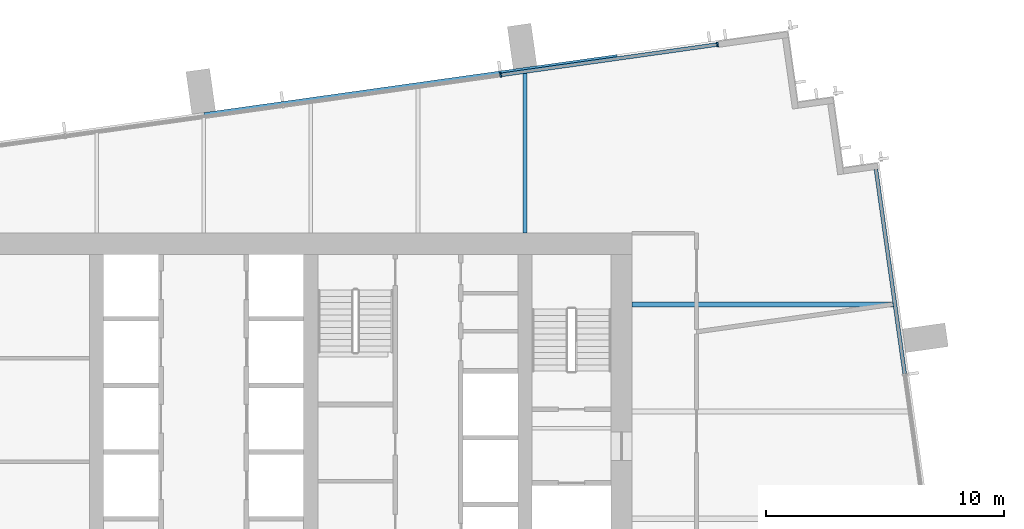
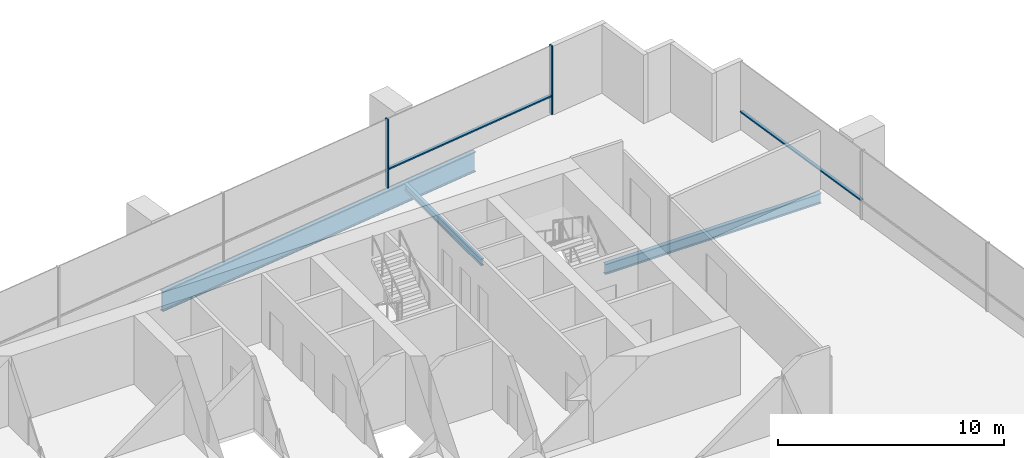
# One storey, part 7 of 13: 4 members, 3 beams, 2 elements without a shape of their own.
"""IFC4 building model written with IfcOpenShell, lengths in metres."""

from ifc_helpers import new_model, si_unit, direction, frame, origin, origin_2d, place, context, subcontext, project, spatial, rectangle, i_section, extrude, material, layer, layer_set, material_profile, profile_set, type_object, element, aggregate, save


model = new_model("IFC4")

# Units and contexts
model_context = context("Model", 3, precision=1e-05, world=origin(), true_north=direction((0.0, 1.0)))
body_context = subcontext(model_context, "Body", "Model", "MODEL_VIEW")
ifc_project = project(units=[si_unit("LENGTHUNIT", "METRE"), si_unit("AREAUNIT", "SQUARE_METRE"), si_unit("VOLUMEUNIT", "CUBIC_METRE"), si_unit("PLANEANGLEUNIT", "RADIAN"), si_unit("MASSUNIT", "GRAM", prefix="KILO")], contexts=[model_context])

# Site, building, storey
site_placement = place(None, origin())
site = spatial("IfcSite", under=ifc_project, at=site_placement, CompositionType="ELEMENT")
building_placement = place(site_placement, origin())
building = spatial("IfcBuilding", under=site, at=building_placement, Name="Rattan Terrace Tower", CompositionType="ELEMENT")
storey_placement = place(building_placement, frame((0.0, 0.0, 217.39990234375)))
storey = spatial("IfcBuildingStorey", under=building, at=storey_placement, Name="L49", CompositionType="ELEMENT", Elevation=217.39990234375)

# Beams
ifc_material_1 = material(Name="Steel S460", Category="steel")
ifc_material_profile_1 = material_profile(ifc_material_1, i_section(OverallWidth=0.179931640625, OverallDepth=1.10009765625, WebThickness=0.01611328125, FlangeThickness=0.050048828125, at=origin_2d()), Name="PG 1100x180-16-50")
ifc_profile_set_1 = profile_set([ifc_material_profile_1], Name="Steel S460")
beam_type_1 = type_object("IfcBeamType", Name="Frame edge girder PG 1100x180-16-50", PredefinedType="SPANDREL", material=ifc_profile_set_1)
beam_1_placement = place(storey_placement, frame((17.3740234375, 14.909912109375, -0.75), z_axis=(-0.990275742813, -0.139118486179, 0.0), x_axis=(0.139118486179, -0.990275742813, 0.0)))
element("IfcBeam", 1, at=beam_1_placement, inside=storey, type_object=beam_type_1, Name="gdr-L49-006", PredefinedType="SPANDREL", context=body_context, shape_type="SweptSolid", body=[
    extrude(i_section(OverallWidth=0.179931640625, OverallDepth=1.10009765625, WebThickness=0.01611328125, FlangeThickness=0.050048828125, at=origin_2d()), origin(), (0.0, 0.0, 1.0), 17.531494140625),
])
ifc_material_2 = material(Name="Steel S355", Category="steel")
ifc_material_profile_2 = material_profile(ifc_material_2, i_section(OverallWidth=0.169921875, OverallDepth=0.360107421875, WebThickness=0.008056640625, FlangeThickness=0.0126953125, FilletRadius=0.01806640625, at=origin_2d()), Name="IPE 360")
ifc_profile_set_2 = profile_set([ifc_material_profile_2], Name="Steel S355")
beam_type_2 = type_object("IfcBeamType", Name="Frame floor beam IPE 360", PredefinedType="JOIST", material=ifc_profile_set_2)
beam_2_placement = place(storey_placement, frame((13.5, 7.5, -0.3798828125), z_axis=(0.0, 1.0, 0.0), x_axis=(-1.0, 0.0, 0.0)))
element("IfcBeam", 2, at=beam_2_placement, inside=storey, type_object=beam_type_2, Name="bm-L49-020", PredefinedType="JOIST", context=body_context, shape_type="SweptSolid", body=[
    extrude(i_section(OverallWidth=0.169921875, OverallDepth=0.360107421875, WebThickness=0.008056640625, FlangeThickness=0.0126953125, FilletRadius=0.01806640625, at=origin_2d()), origin(), (0.0, 0.0, 1.0), 6.762939453125),
])
ifc_material_3 = material(Name="Steel S355", Category="steel")
ifc_material_profile_3 = material_profile(ifc_material_3, i_section(OverallWidth=0.2099609375, OverallDepth=0.550048828125, WebThickness=0.010986328125, FlangeThickness=0.01708984375, FilletRadius=0.02392578125, at=origin_2d()), Name="IPE 550")
ifc_profile_set_3 = profile_set([ifc_material_profile_3], Name="Steel S355")
beam_type_3 = type_object("IfcBeamType", Name="Frame floor beam IPE 550", PredefinedType="JOIST", material=ifc_profile_set_3)
beam_3_placement = place(storey_placement, frame((18.0, 4.5, -0.474853515625), z_axis=(1.0, 0.0, 0.0), x_axis=(0.0, 1.0, 0.0)))
element("IfcBeam", 3, at=beam_3_placement, inside=storey, type_object=beam_type_3, Name="bm-L49-013", PredefinedType="JOIST", context=body_context, shape_type="SweptSolid", body=[
    extrude(i_section(OverallWidth=0.2099609375, OverallDepth=0.550048828125, WebThickness=0.010986328125, FlangeThickness=0.01708984375, FilletRadius=0.02392578125, at=origin_2d()), origin(), (0.0, 0.0, 1.0), 11.013916015625),
])

# Curtain wall, members
ifc_material_4 = material(Name="Aluminium and laminated glass", Category="aluminium")
ifc_layer = layer(ifc_material_4, 0.199951171875)
ifc_layer_set = layer_set([ifc_layer], Name="High-Zone Unitised Curtain Wall")
curtain_wall_type = type_object("IfcCurtainWallType", Name="High-Zone Unitised Curtain Wall", PredefinedType="NOTDEFINED", material=ifc_layer_set)
curtain_wall_1_placement = place(storey_placement, origin())
curtain_wall_1 = element("IfcCurtainWall", 4, at=curtain_wall_1_placement, inside=storey, type_object=curtain_wall_type, Name="High-zone curtain wall L49-2", PredefinedType="NOTDEFINED")
ifc_material_5 = material(Name="Aluminium", Category="aluminium")
ifc_material_profile_4 = material_profile(ifc_material_5, rectangle(XDim=0.070068359375, YDim=0.199951171875, at=origin_2d()), Name="Aluminium 70x200")
ifc_profile_set_4 = profile_set([ifc_material_profile_4], Name="Aluminium")
member_type_1 = type_object("IfcMemberType", Name="High-Zone CW Mullion 70x200", PredefinedType="MULLION", material=ifc_profile_set_4)
member_1_placement = place(storey_placement, frame((21.580078125, 15.4208984375, 0.0), z_axis=(0.0, 0.0, 1.0), x_axis=(-0.990267457022, -0.139177453499, 0.0)))
member_1 = element("IfcMember", 5, at=member_1_placement, type_object=member_type_1, Name="Mullion cwl-L49-002.1", PredefinedType="MULLION", context=body_context, shape_type="SweptSolid", body=[
    extrude(rectangle(XDim=0.070068359375, YDim=0.199951171875, at=origin_2d()), origin(), (0.0, 0.0, 1.0), 3.7001953125),
])
member_2_placement = place(storey_placement, frame((12.473388671875, 14.140869140625, 0.0), z_axis=(0.0, 0.0, 1.0), x_axis=(-0.990267457022, -0.139177453499, 0.0)))
member_2 = element("IfcMember", 6, at=member_2_placement, type_object=member_type_1, Name="Mullion cwl-L49-002.2", PredefinedType="MULLION", context=body_context, shape_type="SweptSolid", body=[
    extrude(rectangle(XDim=0.070068359375, YDim=0.199951171875, at=origin_2d()), origin(), (0.0, 0.0, 1.0), 3.7001953125),
])

# Curtain wall, member
curtain_wall_2_placement = place(storey_placement, origin())
curtain_wall_2 = element("IfcCurtainWall", 7, at=curtain_wall_2_placement, inside=storey, type_object=curtain_wall_type, Name="High-zone curtain wall L49-1", PredefinedType="NOTDEFINED")
ifc_material_6 = material(Name="Aluminium", Category="aluminium")
ifc_material_profile_5 = material_profile(ifc_material_6, rectangle(XDim=0.159912109375, YDim=0.070068359375, at=origin_2d()), Name="Aluminium 160x70")
ifc_profile_set_5 = profile_set([ifc_material_profile_5], Name="Aluminium")
member_type_2 = type_object("IfcMemberType", Name="High-Zone CW Transom 160x70", PredefinedType="USERDEFINED", material=ifc_profile_set_5)
member_3_placement = place(storey_placement, frame((29.447509765625, 1.585693359375, 1.0), z_axis=(-0.139193563319, 0.990265192729, 0.0), x_axis=(-0.990265192729, -0.139193563319, 0.0)))
member_3 = element("IfcMember", 8, at=member_3_placement, type_object=member_type_2, Name="Transom cwl-L49-001.3", ObjectType="TRANSOM", PredefinedType="USERDEFINED", context=body_context, shape_type="SweptSolid", body=[
    extrude(rectangle(XDim=0.159912109375, YDim=0.070068359375, at=origin_2d()), origin(), (0.0, 0.0, 1.0), 8.669921875),
])
aggregate(curtain_wall_2, [member_3])

# Member
member_4_placement = place(storey_placement, frame((21.54541015625, 15.416015625, 1.0), z_axis=(-0.990265856778, -0.139188838988, 0.0), x_axis=(0.139188838988, -0.990265856778, 0.0)))
member_4 = element("IfcMember", 9, at=member_4_placement, type_object=member_type_2, Name="Transom cwl-L49-002.1", ObjectType="TRANSOM", PredefinedType="USERDEFINED", context=body_context, shape_type="SweptSolid", body=[
    extrude(rectangle(XDim=0.159912109375, YDim=0.070068359375, at=origin_2d()), origin(), (0.0, 0.0, 1.0), 9.126220703125),
])

aggregate(curtain_wall_1, [member_1, member_2, member_4])

save(model, "model.ifc")
